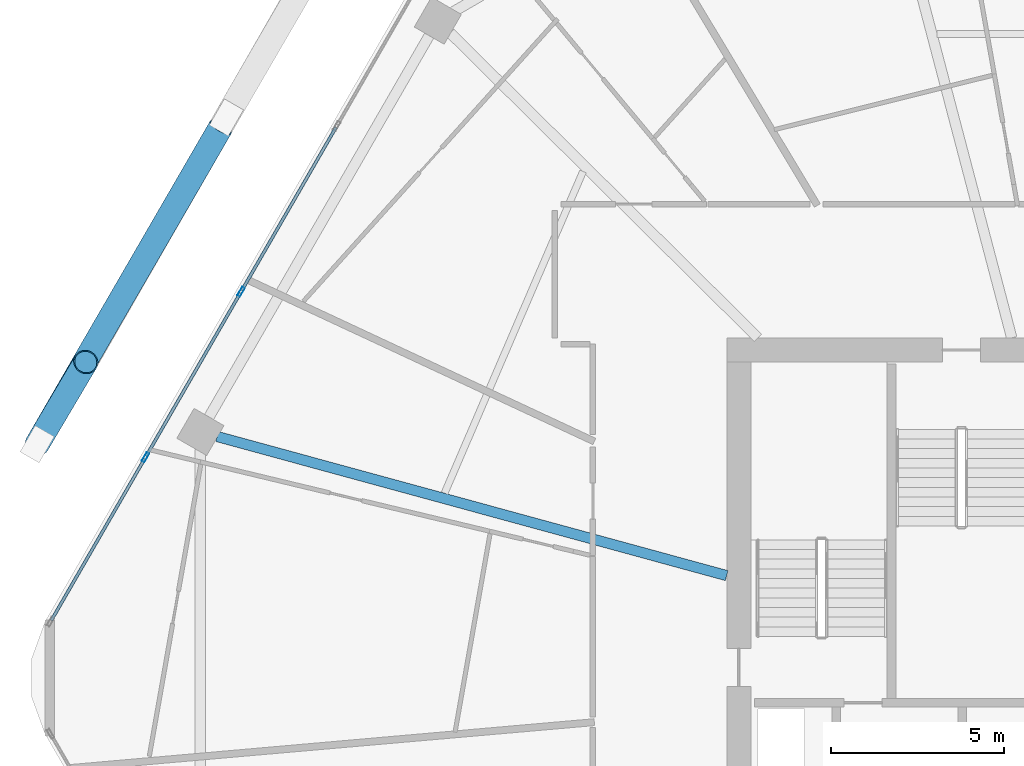
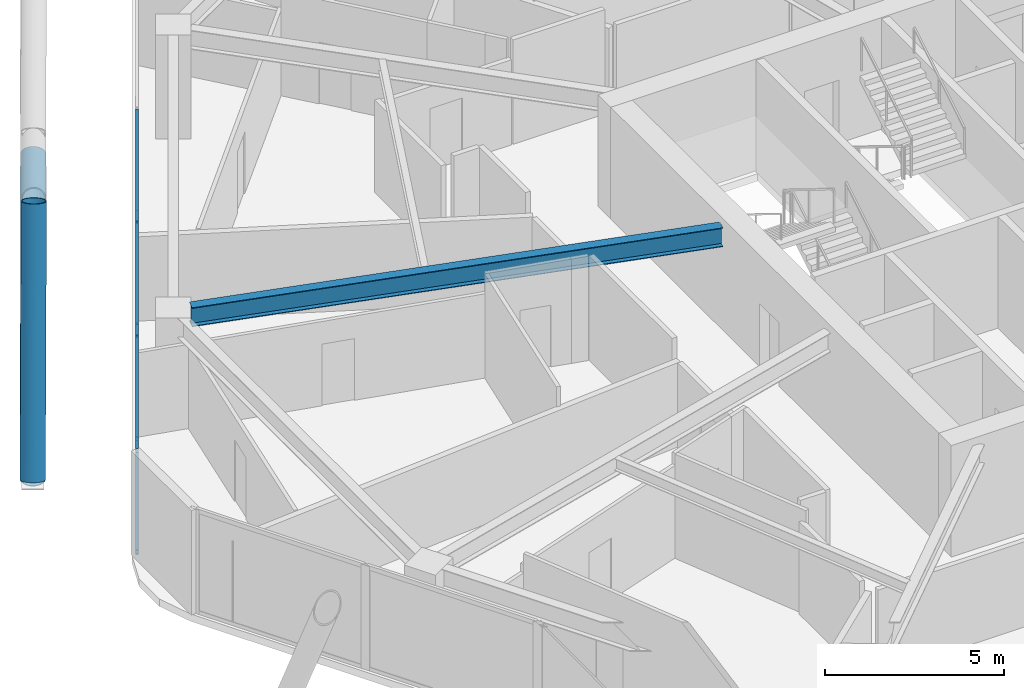
# One storey, part 10 of 29: 10 members, 1 beam, 1 element without a shape of its own.
"""IFC4 building model written with IfcOpenShell, lengths in metres."""

from ifc_helpers import new_model, si_unit, direction, frame, origin, origin_2d, place, context, subcontext, project, spatial, hollow_rectangle, hollow_circle, i_section, extrude, material, material_profile, profile_set, type_object, element, aggregate, save


model = new_model("IFC4")

# Units and contexts
model_context = context("Model", 3, precision=1e-05, world=origin(), true_north=direction((0.0, 1.0)))
body_context = subcontext(model_context, "Body", "Model", "MODEL_VIEW")
ifc_project = project(units=[si_unit("LENGTHUNIT", "METRE"), si_unit("AREAUNIT", "SQUARE_METRE"), si_unit("VOLUMEUNIT", "CUBIC_METRE"), si_unit("PLANEANGLEUNIT", "RADIAN"), si_unit("MASSUNIT", "GRAM", prefix="KILO")], contexts=[model_context])

# Site, building, storey
site_placement = place(None, origin())
site = spatial("IfcSite", under=ifc_project, at=site_placement, CompositionType="ELEMENT")
building_placement = place(site_placement, origin())
building = spatial("IfcBuilding", under=site, at=building_placement, Name="Zuhravey Tower", CompositionType="ELEMENT")
storey_placement = place(building_placement, frame((0.0, 0.0, 161.800048828125)))
storey = spatial("IfcBuildingStorey", under=building, at=storey_placement, Name="L40", CompositionType="ELEMENT", Elevation=161.800048828125)

# Curtain wall, members
ifc_material_1 = material(Name="Thermally broken anodised aluminium", Category="aluminium")
curtain_wall_type = type_object("IfcCurtainWallType", Name="Zone 1-2 Residential Curtain Wall CW3", PredefinedType="NOTDEFINED", material=ifc_material_1)
curtain_wall_placement = place(storey_placement, origin())
curtain_wall = element("IfcCurtainWall", 1, at=curtain_wall_placement, inside=storey, type_object=curtain_wall_type, Name="L40 CW3 CW-L40-F3-1", PredefinedType="NOTDEFINED")
ifc_material_2 = material(Name="Anodised aluminium", Category="aluminium")
ifc_material_profile_1 = material_profile(ifc_material_2, hollow_rectangle(XDim=0.090087890625, YDim=0.284912109375, WallThickness=0.0048828125, at=origin_2d()), Name="ALU-RHS-90x285x5")
ifc_profile_set_1 = profile_set([ifc_material_profile_1], Name="Anodised aluminium")
member_type_1 = type_object("IfcMemberType", Name="Curtain-Wall Mullion 90x180", PredefinedType="MULLION", material=ifc_profile_set_1)
member_1_placement = place(storey_placement, frame((8.300537109375, 38.38916015625, 0.0), z_axis=(0.0, 0.0, 1.0), x_axis=(-0.866025138215, 0.500000459979, 0.0)))
member_1 = element("IfcMember", 2, at=member_1_placement, type_object=member_type_1, Name="CW3 mullion 2", PredefinedType="MULLION", context=body_context, shape_type="SweptSolid", body=[
    extrude(hollow_rectangle(XDim=0.090087890625, YDim=0.284912109375, WallThickness=0.0048828125, at=origin_2d()), origin(), (0.0, 0.0, 1.0), 3.550048828125),
])
member_2_placement = place(storey_placement, frame((11.07275390625, 43.190673828125, 0.0), z_axis=(0.0, 0.0, 1.0), x_axis=(-0.866025138215, 0.500000459979, 0.0)))
member_2 = element("IfcMember", 3, at=member_2_placement, type_object=member_type_1, Name="CW3 mullion 3", PredefinedType="MULLION", context=body_context, shape_type="SweptSolid", body=[
    extrude(hollow_rectangle(XDim=0.090087890625, YDim=0.284912109375, WallThickness=0.0048828125, at=origin_2d()), origin(), (0.0, 0.0, 1.0), 3.550048828125),
])
ifc_material_profile_2 = material_profile(ifc_material_2, hollow_rectangle(XDim=0.090087890625, YDim=0.14990234375, WallThickness=0.0048828125, at=origin_2d()), Name="ALU-RHS-90x150x5")
ifc_profile_set_2 = profile_set([ifc_material_profile_2], Name="Anodised aluminium")
member_type_2 = type_object("IfcMemberType", Name="Curtain-Wall Transom 90x150", PredefinedType="USERDEFINED", material=ifc_profile_set_2)
member_3_placement = place(storey_placement, frame((5.5732421875, 33.66552734375, 0.044921875), z_axis=(0.499993332629, 0.866029253159, 0.0), x_axis=(-0.866029253159, 0.499993332629, 0.0)))
member_3 = element("IfcMember", 4, at=member_3_placement, type_object=member_type_2, Name="CW3 transom 1.1", ObjectType="TRANSOM", PredefinedType="USERDEFINED", context=body_context, shape_type="SweptSolid", body=[
    extrude(hollow_rectangle(XDim=0.090087890625, YDim=0.14990234375, WallThickness=0.0048828125, at=origin_2d()), origin(), (0.0, 0.0, 1.0), 5.4091796875),
])
member_4_placement = place(storey_placement, frame((5.5732421875, 33.66552734375, 3.5048828125), z_axis=(0.499993332629, 0.866029253159, 0.0), x_axis=(-0.866029253159, 0.499993332629, 0.0)))
member_4 = element("IfcMember", 5, at=member_4_placement, type_object=member_type_2, Name="CW3 transom 1.2", ObjectType="TRANSOM", PredefinedType="USERDEFINED", context=body_context, shape_type="SweptSolid", body=[
    extrude(hollow_rectangle(XDim=0.090087890625, YDim=0.14990234375, WallThickness=0.0048828125, at=origin_2d()), origin(), (0.0, 0.0, 1.0), 5.4091796875),
])
member_5_placement = place(storey_placement, frame((8.322998046875, 38.427978515625, 0.044921875), z_axis=(0.49996138257, 0.86604769842, 0.0), x_axis=(-0.86604769842, 0.49996138257, 0.0)))
member_5 = element("IfcMember", 6, at=member_5_placement, type_object=member_type_2, Name="CW3 transom 2.1", ObjectType="TRANSOM", PredefinedType="USERDEFINED", context=body_context, shape_type="SweptSolid", body=[
    extrude(hollow_rectangle(XDim=0.090087890625, YDim=0.14990234375, WallThickness=0.0048828125, at=origin_2d()), origin(), (0.0, 0.0, 1.0), 5.45458984375),
])
member_6_placement = place(storey_placement, frame((8.322998046875, 38.427978515625, 3.5048828125), z_axis=(0.49996138257, 0.86604769842, 0.0), x_axis=(-0.86604769842, 0.49996138257, 0.0)))
member_6 = element("IfcMember", 7, at=member_6_placement, type_object=member_type_2, Name="CW3 transom 2.2", ObjectType="TRANSOM", PredefinedType="USERDEFINED", context=body_context, shape_type="SweptSolid", body=[
    extrude(hollow_rectangle(XDim=0.090087890625, YDim=0.14990234375, WallThickness=0.0048828125, at=origin_2d()), origin(), (0.0, 0.0, 1.0), 5.45458984375),
])
member_7_placement = place(storey_placement, frame((11.09521484375, 43.229736328125, 0.044921875), z_axis=(0.499980763544, 0.866036509673, 0.0), x_axis=(-0.866036509673, 0.499980763544, 0.0)))
member_7 = element("IfcMember", 8, at=member_7_placement, type_object=member_type_2, Name="CW3 transom 3.1", ObjectType="TRANSOM", PredefinedType="USERDEFINED", context=body_context, shape_type="SweptSolid", body=[
    extrude(hollow_rectangle(XDim=0.090087890625, YDim=0.14990234375, WallThickness=0.0048828125, at=origin_2d()), origin(), (0.0, 0.0, 1.0), 5.454345703125),
])
member_8_placement = place(storey_placement, frame((11.09521484375, 43.229736328125, 3.5048828125), z_axis=(0.499980763544, 0.866036509673, 0.0), x_axis=(-0.866036509673, 0.499980763544, 0.0)))
member_8 = element("IfcMember", 9, at=member_8_placement, type_object=member_type_2, Name="CW3 transom 3.2", ObjectType="TRANSOM", PredefinedType="USERDEFINED", context=body_context, shape_type="SweptSolid", body=[
    extrude(hollow_rectangle(XDim=0.090087890625, YDim=0.14990234375, WallThickness=0.0048828125, at=origin_2d()), origin(), (0.0, 0.0, 1.0), 5.454345703125),
])
aggregate(curtain_wall, [member_1, member_2, member_3, member_4, member_5, member_6, member_7, member_8])

# Members
ifc_material_3 = material(Name="Steel SM460", Category="steel")
ifc_material_profile_3 = material_profile(ifc_material_3, hollow_circle(Radius=0.355712890625, WallThickness=0.031982421875, at=origin_2d()), Name="CHS-711.2x32")
ifc_profile_set_3 = profile_set([ifc_material_profile_3], Name="Steel SM460")
member_type_3 = type_object("IfcMemberType", Name="Exoskeleton Zone 2 Diagrid CHS711x32", PredefinedType="BRACE", material=ifc_profile_set_3)
member_9_placement = place(storey_placement, frame((5.164794921875, 38.778076171875, -0.444091796875), z_axis=(0.174643023153, 0.295076026787, 0.939377428343), x_axis=(-0.8605687688, 0.509334265651, 0.0)))
element("IfcMember", 10, at=member_9_placement, inside=storey, type_object=member_type_3, Name="L40 Face 3 Diagrid Brace 4", PredefinedType="BRACE", context=body_context, shape_type="SweptSolid", body=[
    extrude(hollow_circle(Radius=0.355712890625, WallThickness=0.031982421875, at=origin_2d()), origin(), (0.0, 0.0, 1.0), 8.0478515625),
])
member_10_placement = place(storey_placement, frame((5.18359375, 38.810546875, -0.448486328125), z_axis=(0.473445190934, 0.817445666761, 0.328073517791), x_axis=(-0.865340357304, 0.501184662596, 0.0)))
element("IfcMember", 11, at=member_10_placement, inside=storey, type_object=member_type_3, Name="L40 Face 3 Split Diagrid Brace 3A", PredefinedType="BRACE", context=body_context, shape_type="SweptSolid", body=[
    extrude(hollow_circle(Radius=0.355712890625, WallThickness=0.031982421875, at=origin_2d()), origin(), (0.0, 0.0, 1.0), 11.18994140625),
])

# Beam
ifc_material_4 = material(Name="Steel SM355", Category="steel")
ifc_material_profile_4 = material_profile(ifc_material_4, i_section(OverallWidth=0.300048828125, OverallDepth=0.64990234375, WebThickness=0.012939453125, FlangeThickness=0.02197265625, at=origin_2d()), Name="H-650x300x13x22")
ifc_profile_set_4 = profile_set([ifc_material_profile_4], Name="Steel SM355")
beam_type = type_object("IfcBeamType", Name="Radial Primary Girder H650x300", PredefinedType="BEAM", material=ifc_profile_set_4)
beam_placement = place(storey_placement, frame((25.14697265625, 34.96240234375, 3.224853515625), z_axis=(-0.964701601771, 0.263345437667, 0.0), x_axis=(-0.263345437667, -0.964701601771, 0.0)))
element("IfcBeam", 12, at=beam_placement, inside=storey, type_object=beam_type, Name="L40 RG2 BM-L40-RAD-06", PredefinedType="BEAM", context=body_context, shape_type="SweptSolid", body=[
    extrude(i_section(OverallWidth=0.300048828125, OverallDepth=0.64990234375, WebThickness=0.012939453125, FlangeThickness=0.02197265625, at=origin_2d()), origin(), (0.0, 0.0, 1.0), 15.309814453125),
])

save(model, "model.ifc")
